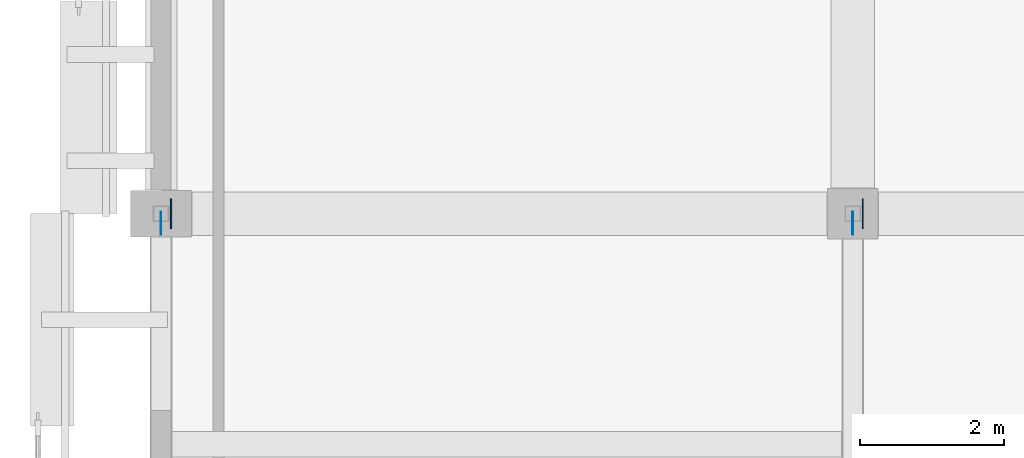
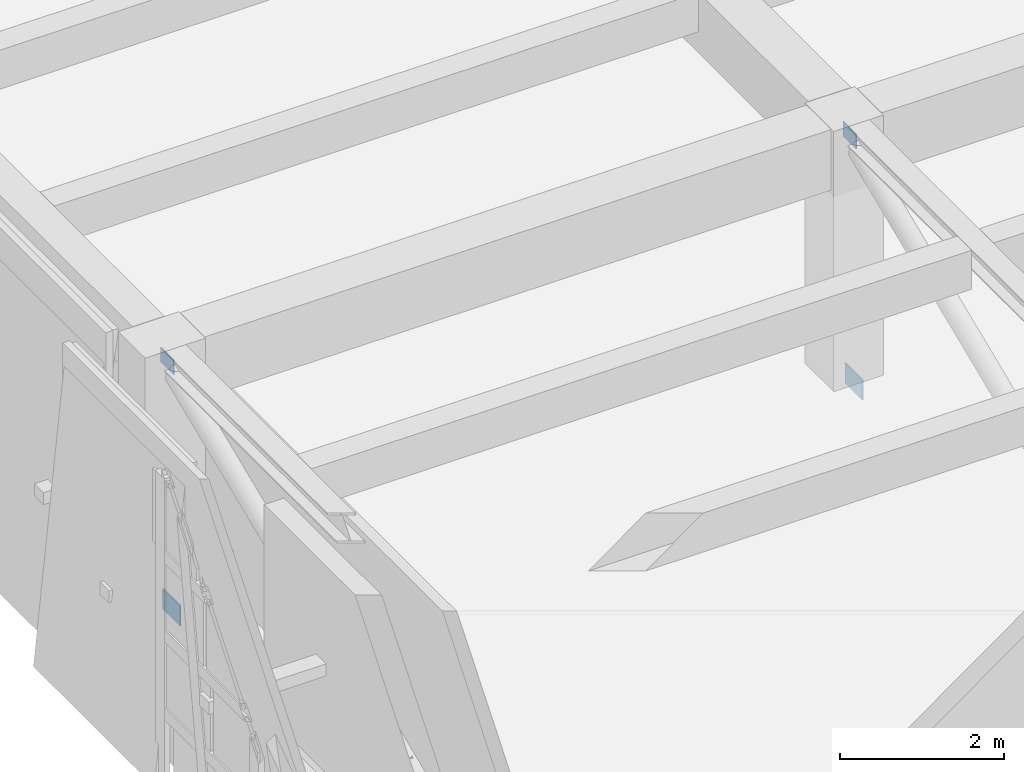
# One storey, part 36 of 62: 4 plates.
"""IFC4 building model written with IfcOpenShell, lengths in metres."""

from ifc_helpers import new_model, si_unit, direction, frame, origin, origin_2d, place, context, subcontext, project, spatial, rectangle, extrude, material, layer, layer_set, type_object, element, save


model = new_model("IFC4")

# Units and contexts
model_context = context("Model", 3, precision=1e-05, world=origin(), true_north=direction((0.0, 1.0)))
body_context = subcontext(model_context, "Body", "Model", "MODEL_VIEW")
ifc_project = project(units=[si_unit("LENGTHUNIT", "METRE"), si_unit("AREAUNIT", "SQUARE_METRE"), si_unit("VOLUMEUNIT", "CUBIC_METRE"), si_unit("PLANEANGLEUNIT", "RADIAN"), si_unit("MASSUNIT", "GRAM", prefix="KILO")], contexts=[model_context])

# Site, building, storey
site_placement = place(None, origin())
site = spatial("IfcSite", under=ifc_project, at=site_placement, CompositionType="ELEMENT")
building_placement = place(site_placement, origin())
building = spatial("IfcBuilding", under=site, at=building_placement, Name="Bempovik Park Faculty of Sciences", CompositionType="ELEMENT")
storey_placement = place(building_placement, frame((0.0, 0.0, 9.89990234375)))
storey = spatial("IfcBuildingStorey", under=building, at=storey_placement, Name="L02", CompositionType="ELEMENT", Elevation=9.89990234375)

# Plates
ifc_material = material(Name="Steel S355", Category="steel")
ifc_layer_1 = layer(ifc_material, 0.01806640625)
ifc_layer_set_1 = layer_set([ifc_layer_1], Name="Steel S355")
plate_type_1 = type_object("IfcPlateType", Name="PL-22 Steel Plate 420x300x18", PredefinedType="SHEET", material=ifc_layer_set_1)
for number, where, z_axis, x_axis, name in (
    (1, (60.139892578125, 39.0, -0.35009765625), (0.0, 0.0, 1.0), (1.0, 0.0, 0.0), "Cantilever Gusset Plate CT1-5-B"),
    (2, (69.739990234375, 39.0, -0.35009765625), (0.0, 0.0, 1.0), (1.0, 0.0, 0.0), "Cantilever Gusset Plate CT2-5-B"),
):
    element("IfcPlate", number, at=place(storey_placement, frame(where, z_axis=z_axis, x_axis=x_axis)), inside=storey, type_object=plate_type_1, Name=name, PredefinedType="SHEET", context=body_context, shape_type="SweptSolid", body=[
        extrude(rectangle(XDim=0.01806640625, YDim=0.419921875, at=origin_2d()), origin(), (0.0, 0.0, 1.0), 0.300048828125),
    ])
ifc_layer_2 = layer(ifc_material, 0.011962890625)
ifc_layer_set_2 = layer_set([ifc_layer_2], Name="Steel S355")
plate_type_2 = type_object("IfcPlateType", Name="PL-26 Steel Plate 320x220x12", PredefinedType="SHEET", material=ifc_layer_set_2)
for number, where, z_axis, x_axis, name in (
    (3, (60.0, 38.864990234375, 3.48388671875), (0.0, 0.0, 1.0), (1.0, 0.0, 0.0), "Brace/Strut End Gusset Plate CT1-BRL2-4-E2"),
    (4, (69.60009765625, 38.864990234375, 3.48388671875), (0.0, 0.0, 1.0), (1.0, 0.0, 0.0), "Brace/Strut End Gusset Plate CT2-BRL2-4-E2"),
):
    element("IfcPlate", number, at=place(storey_placement, frame(where, z_axis=z_axis, x_axis=x_axis)), inside=storey, type_object=plate_type_2, Name=name, PredefinedType="SHEET", context=body_context, shape_type="SweptSolid", body=[
        extrude(rectangle(XDim=0.011962890625, YDim=0.320068359375, at=origin_2d()), origin(), (0.0, 0.0, 1.0), 0.219970703125),
    ])

save(model, "model.ifc")
